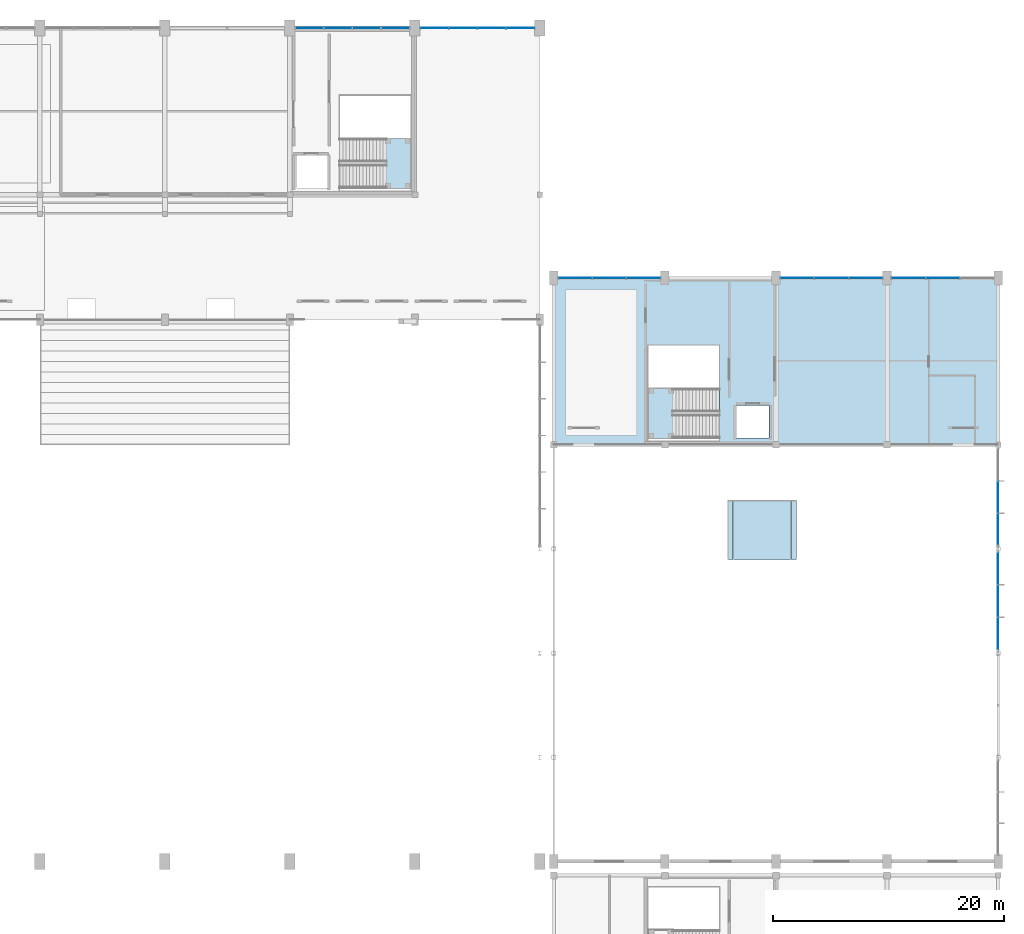
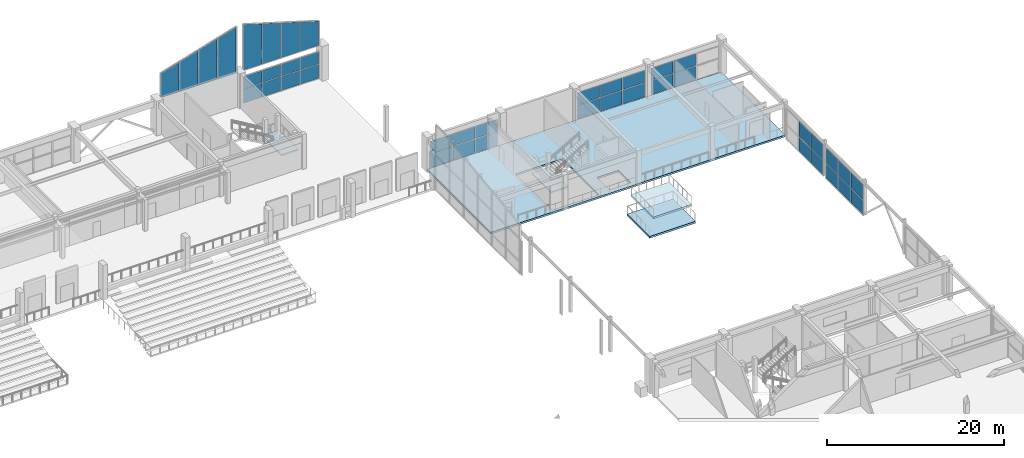
# One storey, part 46 of 74: 42 plates, 5 slabs, 10 elements without a shape of their own.
"""IFC4 building model written with IfcOpenShell, lengths in metres."""

from ifc_helpers import new_model, si_unit, direction, frame, origin, place, context, subcontext, project, spatial, polyline, outline, extrude, material, layer, layer_set, type_object, element, aggregate, save


model = new_model("IFC4")

# Units and contexts
model_context = context("Model", 3, precision=1e-05, world=origin(), true_north=direction((0.0, 1.0)))
body_context = subcontext(model_context, "Body", "Model", "MODEL_VIEW")
ifc_project = project(units=[si_unit("LENGTHUNIT", "METRE"), si_unit("AREAUNIT", "SQUARE_METRE"), si_unit("VOLUMEUNIT", "CUBIC_METRE"), si_unit("PLANEANGLEUNIT", "RADIAN"), si_unit("MASSUNIT", "GRAM", prefix="KILO")], contexts=[model_context])

# Site, building, storey
site_placement = place(None, origin())
site = spatial("IfcSite", under=ifc_project, at=site_placement, CompositionType="ELEMENT")
building_placement = place(site_placement, origin())
building = spatial("IfcBuilding", under=site, at=building_placement, Name="Suirenkawa Promenade Aquatics Centre", CompositionType="ELEMENT")
storey_placement = place(building_placement, frame((0.0, 0.0, 4.800048828125)))
storey = spatial("IfcBuildingStorey", under=building, at=storey_placement, Name="L01", CompositionType="ELEMENT", Elevation=4.800048828125)

# Curtain wall, plates
ifc_material_1 = material(Name="Anodised aluminium 6063-T6", Category="aluminium")
curtain_wall_type_1 = type_object("IfcCurtainWallType", Name="CWAT-CLERN-06", PredefinedType="NOTDEFINED", material=ifc_material_1)
curtain_wall_1_placement = place(storey_placement, origin())
curtain_wall_1 = element("IfcCurtainWall", 1, at=curtain_wall_1_placement, inside=storey, type_object=curtain_wall_type_1, Name="Curtain wall CWA-06 CW-031", PredefinedType="NOTDEFINED")
ifc_material_2 = material(Name="Ceramic-fritted low-SHGC double glazing", Category="glass")
ifc_layer_1 = layer(ifc_material_2, 0.031982421875, Name="Ceramic-fritted low-SHGC double glazing", Category="glass")
ifc_layer_set_1 = layer_set([ifc_layer_1], Name="Ceramic-fritted low-SHGC double glazing")
plate_type_1 = type_object("IfcPlateType", Name="CWP-CLER-32", PredefinedType="CURTAIN_PANEL", material=ifc_layer_set_1)
plate_1_placement = place(storey_placement, frame((133.64892578125, 122.39990234375, 4.599853515625), z_axis=(0.0, 0.0, 1.0), x_axis=(1.0, 0.0, 0.0)))
plate_1 = element("IfcPlate", 2, at=plate_1_placement, type_object=plate_type_1, Name="Top glazed panel CP-03 CWP-00653", PredefinedType="CURTAIN_PANEL", context=body_context, shape_type="SweptSolid", body=[
    extrude(outline(polyline([(0.0400390625, 0.0), (2.435546875, 0.0), (2.435546875, 4.06005859375), (0.0400390625, 3.31005859375), (0.0400390625, 0.0)])), frame((0.0, 0.01611328125, 0.0), z_axis=(0.0, -1.0, 0.0), x_axis=(1.0, 0.0, 0.0)), (0.0, 0.0, 1.0), 0.031982421875),
])
plate_2_placement = place(storey_placement, frame((136.12451171875, 122.39990234375, 4.599853515625), z_axis=(0.0, 0.0, 1.0), x_axis=(1.0, 0.0, 0.0)))
plate_2 = element("IfcPlate", 3, at=plate_2_placement, type_object=plate_type_1, Name="Top glazed panel CP-03 CWP-00654", PredefinedType="CURTAIN_PANEL", context=body_context, shape_type="SweptSolid", body=[
    extrude(outline(polyline([(0.0400390625, 0.0), (2.435546875, 0.0), (2.435546875, 4.81005859375), (0.0400390625, 4.06005859375), (0.0400390625, 0.0)])), frame((0.0, 0.01611328125, 0.0), z_axis=(0.0, -1.0, 0.0), x_axis=(1.0, 0.0, 0.0)), (0.0, 0.0, 1.0), 0.031982421875),
])
plate_3_placement = place(storey_placement, frame((138.60009765625, 122.39990234375, 4.599853515625), z_axis=(0.0, 0.0, 1.0), x_axis=(1.0, 0.0, 0.0)))
plate_3 = element("IfcPlate", 4, at=plate_3_placement, type_object=plate_type_1, Name="Top glazed panel CP-03 CWP-00655", PredefinedType="CURTAIN_PANEL", context=body_context, shape_type="SweptSolid", body=[
    extrude(outline(polyline([(0.0400390625, 0.0), (2.435546875, 0.0), (2.435546875, 5.56005859375), (0.0400390625, 4.81005859375), (0.0400390625, 0.0)])), frame((0.0, 0.01611328125, 0.0), z_axis=(0.0, -1.0, 0.0), x_axis=(1.0, 0.0, 0.0)), (0.0, 0.0, 1.0), 0.031982421875),
])
plate_4_placement = place(storey_placement, frame((141.075439453125, 122.39990234375, 4.599853515625), z_axis=(0.0, 0.0, 1.0), x_axis=(1.0, 0.0, 0.0)))
plate_4 = element("IfcPlate", 5, at=plate_4_placement, type_object=plate_type_1, Name="Top glazed panel CP-03 CWP-00656", PredefinedType="CURTAIN_PANEL", context=body_context, shape_type="SweptSolid", body=[
    extrude(outline(polyline([(0.0400390625, 0.0), (2.435546875, 0.0), (2.435546875, 6.31005859375), (0.0400390625, 5.56005859375), (0.0400390625, 0.0)])), frame((0.0, 0.01611328125, 0.0), z_axis=(0.0, -1.0, 0.0), x_axis=(1.0, 0.0, 0.0)), (0.0, 0.0, 1.0), 0.031982421875),
])
aggregate(curtain_wall_1, [plate_1, plate_2, plate_3, plate_4])

curtain_wall_2_placement = place(storey_placement, origin())
curtain_wall_2 = element("IfcCurtainWall", 6, at=curtain_wall_2_placement, inside=storey, type_object=curtain_wall_type_1, Name="Curtain wall CWA-06 CW-033", PredefinedType="NOTDEFINED")
plate_5_placement = place(storey_placement, frame((144.448974609375, 122.39990234375, 4.599853515625), z_axis=(0.0, 0.0, 1.0), x_axis=(1.0, 0.0, 0.0)))
plate_5 = element("IfcPlate", 7, at=plate_5_placement, type_object=plate_type_1, Name="Top glazed panel CP-03 CWP-00691", PredefinedType="CURTAIN_PANEL", context=body_context, shape_type="SweptSolid", body=[
    extrude(outline(polyline([(0.0400390625, 0.0), (2.435546875, 0.0), (2.435546875, 5.56005859375), (0.0400390625, 6.31005859375), (0.0400390625, 0.0)])), frame((0.0, 0.01611328125, 0.0), z_axis=(0.0, -1.0, 0.0), x_axis=(1.0, 0.0, 0.0)), (0.0, 0.0, 1.0), 0.031982421875),
])
plate_6_placement = place(storey_placement, frame((146.924560546875, 122.39990234375, 4.599853515625), z_axis=(0.0, 0.0, 1.0), x_axis=(1.0, 0.0, 0.0)))
plate_6 = element("IfcPlate", 8, at=plate_6_placement, type_object=plate_type_1, Name="Top glazed panel CP-03 CWP-00692", PredefinedType="CURTAIN_PANEL", context=body_context, shape_type="SweptSolid", body=[
    extrude(outline(polyline([(0.0400390625, 0.0), (2.435546875, 0.0), (2.435546875, 4.81005859375), (0.0400390625, 5.56005859375), (0.0400390625, 0.0)])), frame((0.0, 0.01611328125, 0.0), z_axis=(0.0, -1.0, 0.0), x_axis=(1.0, 0.0, 0.0)), (0.0, 0.0, 1.0), 0.031982421875),
])
plate_7_placement = place(storey_placement, frame((149.39990234375, 122.39990234375, 4.599853515625), z_axis=(0.0, 0.0, 1.0), x_axis=(1.0, 0.0, 0.0)))
plate_7 = element("IfcPlate", 9, at=plate_7_placement, type_object=plate_type_1, Name="Top glazed panel CP-03 CWP-00693", PredefinedType="CURTAIN_PANEL", context=body_context, shape_type="SweptSolid", body=[
    extrude(outline(polyline([(0.0400390625, 0.0), (2.435546875, 0.0), (2.435546875, 4.06005859375), (0.0400390625, 4.81005859375), (0.0400390625, 0.0)])), frame((0.0, 0.01611328125, 0.0), z_axis=(0.0, -1.0, 0.0), x_axis=(1.0, 0.0, 0.0)), (0.0, 0.0, 1.0), 0.031982421875),
])
plate_8_placement = place(storey_placement, frame((151.87548828125, 122.39990234375, 4.599853515625), z_axis=(0.0, 0.0, 1.0), x_axis=(1.0, 0.0, 0.0)))
plate_8 = element("IfcPlate", 10, at=plate_8_placement, type_object=plate_type_1, Name="Top glazed panel CP-03 CWP-00694", PredefinedType="CURTAIN_PANEL", context=body_context, shape_type="SweptSolid", body=[
    extrude(outline(polyline([(0.0400390625, 0.0), (2.435546875, 0.0), (2.435546875, 3.31005859375), (0.0400390625, 4.06005859375), (0.0400390625, 0.0)])), frame((0.0, 0.01611328125, 0.0), z_axis=(0.0, -1.0, 0.0), x_axis=(1.0, 0.0, 0.0)), (0.0, 0.0, 1.0), 0.031982421875),
])
aggregate(curtain_wall_2, [plate_5, plate_6, plate_7, plate_8])

curtain_wall_type_2 = type_object("IfcCurtainWallType", Name="CWAT-V1CONC-07", PredefinedType="NOTDEFINED", material=ifc_material_1)
curtain_wall_3_placement = place(storey_placement, origin())
curtain_wall_3 = element("IfcCurtainWall", 11, at=curtain_wall_3_placement, inside=storey, type_object=curtain_wall_type_2, Name="Curtain wall CWA-07 CW-034", PredefinedType="NOTDEFINED")
ifc_material_3 = material(Name="Low-E thermally broken double glazing", Category="glass")
ifc_layer_2 = layer(ifc_material_3, 0.028076171875, Name="Low-E thermally broken double glazing", Category="glass")
ifc_layer_set_2 = layer_set([ifc_layer_2], Name="Low-E thermally broken double glazing")
plate_type_2 = type_object("IfcPlateType", Name="CWP-LOWE-28", PredefinedType="CURTAIN_PANEL", material=ifc_layer_set_2)
plate_9_placement = place(storey_placement, frame((144.448974609375, 122.39990234375, 0.0400390625), z_axis=(0.0, 0.0, 1.0), x_axis=(1.0, 0.0, 0.0)))
plate_9 = element("IfcPlate", 12, at=plate_9_placement, type_object=plate_type_2, Name="Glazed panel CP-02 CWP-00709", PredefinedType="CURTAIN_PANEL", context=body_context, shape_type="SweptSolid", body=[
    extrude(outline(polyline([(0.0400390625, 0.0), (2.435546875, 0.0), (2.435546875, 1.919921875), (0.0400390625, 1.919921875), (0.0400390625, 0.0)])), frame((0.0, 0.01416015625, 0.0), z_axis=(0.0, -1.0, 0.0), x_axis=(1.0, 0.0, 0.0)), (0.0, 0.0, 1.0), 0.028076171875),
])
plate_10_placement = place(storey_placement, frame((144.448974609375, 122.39990234375, 2.0400390625), z_axis=(0.0, 0.0, 1.0), x_axis=(1.0, 0.0, 0.0)))
plate_10 = element("IfcPlate", 13, at=plate_10_placement, type_object=plate_type_2, Name="Top glazed panel CP-02 CWP-00710", PredefinedType="CURTAIN_PANEL", context=body_context, shape_type="SweptSolid", body=[
    extrude(outline(polyline([(0.0400390625, 0.0), (2.435546875, 0.0), (2.435546875, 1.639892578125), (0.0400390625, 1.639892578125), (0.0400390625, 0.0)])), frame((0.0, 0.01416015625, 0.0), z_axis=(0.0, -1.0, 0.0), x_axis=(1.0, 0.0, 0.0)), (0.0, 0.0, 1.0), 0.028076171875),
])
plate_11_placement = place(storey_placement, frame((146.924560546875, 122.39990234375, 0.0400390625), z_axis=(0.0, 0.0, 1.0), x_axis=(1.0, 0.0, 0.0)))
plate_11 = element("IfcPlate", 14, at=plate_11_placement, type_object=plate_type_2, Name="Glazed panel CP-02 CWP-00711", PredefinedType="CURTAIN_PANEL", context=body_context, shape_type="SweptSolid", body=[
    extrude(outline(polyline([(0.0400390625, 0.0), (2.435546875, 0.0), (2.435546875, 1.919921875), (0.0400390625, 1.919921875), (0.0400390625, 0.0)])), frame((0.0, 0.01416015625, 0.0), z_axis=(0.0, -1.0, 0.0), x_axis=(1.0, 0.0, 0.0)), (0.0, 0.0, 1.0), 0.028076171875),
])
plate_12_placement = place(storey_placement, frame((146.924560546875, 122.39990234375, 2.0400390625), z_axis=(0.0, 0.0, 1.0), x_axis=(1.0, 0.0, 0.0)))
plate_12 = element("IfcPlate", 15, at=plate_12_placement, type_object=plate_type_2, Name="Top glazed panel CP-02 CWP-00712", PredefinedType="CURTAIN_PANEL", context=body_context, shape_type="SweptSolid", body=[
    extrude(outline(polyline([(0.0400390625, 0.0), (2.435546875, 0.0), (2.435546875, 1.639892578125), (0.0400390625, 1.639892578125), (0.0400390625, 0.0)])), frame((0.0, 0.01416015625, 0.0), z_axis=(0.0, -1.0, 0.0), x_axis=(1.0, 0.0, 0.0)), (0.0, 0.0, 1.0), 0.028076171875),
])
plate_13_placement = place(storey_placement, frame((149.39990234375, 122.39990234375, 0.0400390625), z_axis=(0.0, 0.0, 1.0), x_axis=(1.0, 0.0, 0.0)))
plate_13 = element("IfcPlate", 16, at=plate_13_placement, type_object=plate_type_2, Name="Glazed panel CP-02 CWP-00713", PredefinedType="CURTAIN_PANEL", context=body_context, shape_type="SweptSolid", body=[
    extrude(outline(polyline([(0.0400390625, 0.0), (2.435546875, 0.0), (2.435546875, 1.919921875), (0.0400390625, 1.919921875), (0.0400390625, 0.0)])), frame((0.0, 0.01416015625, 0.0), z_axis=(0.0, -1.0, 0.0), x_axis=(1.0, 0.0, 0.0)), (0.0, 0.0, 1.0), 0.028076171875),
])
plate_14_placement = place(storey_placement, frame((149.39990234375, 122.39990234375, 2.0400390625), z_axis=(0.0, 0.0, 1.0), x_axis=(1.0, 0.0, 0.0)))
plate_14 = element("IfcPlate", 17, at=plate_14_placement, type_object=plate_type_2, Name="Top glazed panel CP-02 CWP-00714", PredefinedType="CURTAIN_PANEL", context=body_context, shape_type="SweptSolid", body=[
    extrude(outline(polyline([(0.0400390625, 0.0), (2.435546875, 0.0), (2.435546875, 1.639892578125), (0.0400390625, 1.639892578125), (0.0400390625, 0.0)])), frame((0.0, 0.01416015625, 0.0), z_axis=(0.0, -1.0, 0.0), x_axis=(1.0, 0.0, 0.0)), (0.0, 0.0, 1.0), 0.028076171875),
])
plate_15_placement = place(storey_placement, frame((151.87548828125, 122.39990234375, 0.0400390625), z_axis=(0.0, 0.0, 1.0), x_axis=(1.0, 0.0, 0.0)))
plate_15 = element("IfcPlate", 18, at=plate_15_placement, type_object=plate_type_2, Name="Glazed panel CP-02 CWP-00715", PredefinedType="CURTAIN_PANEL", context=body_context, shape_type="SweptSolid", body=[
    extrude(outline(polyline([(0.0400390625, 0.0), (2.435546875, 0.0), (2.435546875, 1.919921875), (0.0400390625, 1.919921875), (0.0400390625, 0.0)])), frame((0.0, 0.01416015625, 0.0), z_axis=(0.0, -1.0, 0.0), x_axis=(1.0, 0.0, 0.0)), (0.0, 0.0, 1.0), 0.028076171875),
])
plate_16_placement = place(storey_placement, frame((151.87548828125, 122.39990234375, 2.0400390625), z_axis=(0.0, 0.0, 1.0), x_axis=(1.0, 0.0, 0.0)))
plate_16 = element("IfcPlate", 19, at=plate_16_placement, type_object=plate_type_2, Name="Top glazed panel CP-02 CWP-00716", PredefinedType="CURTAIN_PANEL", context=body_context, shape_type="SweptSolid", body=[
    extrude(outline(polyline([(0.0400390625, 0.0), (2.435546875, 0.0), (2.435546875, 1.639892578125), (0.0400390625, 1.639892578125), (0.0400390625, 0.0)])), frame((0.0, 0.01416015625, 0.0), z_axis=(0.0, -1.0, 0.0), x_axis=(1.0, 0.0, 0.0)), (0.0, 0.0, 1.0), 0.028076171875),
])
aggregate(curtain_wall_3, [plate_9, plate_10, plate_11, plate_12, plate_13, plate_14, plate_15, plate_16])

curtain_wall_type_3 = type_object("IfcCurtainWallType", Name="CWAT-V2GL01-18", PredefinedType="NOTDEFINED", material=ifc_material_1)
curtain_wall_4_placement = place(storey_placement, origin())
curtain_wall_4 = element("IfcCurtainWall", 20, at=curtain_wall_4_placement, inside=storey, type_object=curtain_wall_type_3, Name="Curtain wall CWA-18 CW-037", PredefinedType="NOTDEFINED")
plate_17_placement = place(storey_placement, frame((156.3740234375, 100.800048828125, 0.0400390625), z_axis=(0.0, 0.0, 1.0), x_axis=(1.0, 0.0, 0.0)))
plate_17 = element("IfcPlate", 21, at=plate_17_placement, type_object=plate_type_2, Name="Glazed panel CP-02 CWP-00772", PredefinedType="CURTAIN_PANEL", context=body_context, shape_type="SweptSolid", body=[
    extrude(outline(polyline([(0.0400390625, 0.0), (2.91064453125, 0.0), (2.91064453125, 1.919921875), (0.0400390625, 1.919921875), (0.0400390625, 0.0)])), frame((0.0, 0.01416015625, 0.0), z_axis=(0.0, -1.0, 0.0), x_axis=(1.0, 0.0, 0.0)), (0.0, 0.0, 1.0), 0.028076171875),
])
plate_18_placement = place(storey_placement, frame((156.3740234375, 100.800048828125, 2.0400390625), z_axis=(0.0, 0.0, 1.0), x_axis=(1.0, 0.0, 0.0)))
plate_18 = element("IfcPlate", 22, at=plate_18_placement, type_object=plate_type_2, Name="Top glazed panel CP-02 CWP-00773", PredefinedType="CURTAIN_PANEL", context=body_context, shape_type="SweptSolid", body=[
    extrude(outline(polyline([(0.0400390625, 0.0), (2.91064453125, 0.0), (2.91064453125, 1.639892578125), (0.0400390625, 1.639892578125), (0.0400390625, 0.0)])), frame((0.0, 0.01416015625, 0.0), z_axis=(0.0, -1.0, 0.0), x_axis=(1.0, 0.0, 0.0)), (0.0, 0.0, 1.0), 0.028076171875),
])
plate_19_placement = place(storey_placement, frame((159.32470703125, 100.800048828125, 0.0400390625), z_axis=(0.0, 0.0, 1.0), x_axis=(1.0, 0.0, 0.0)))
plate_19 = element("IfcPlate", 23, at=plate_19_placement, type_object=plate_type_2, Name="Glazed panel CP-02 CWP-00774", PredefinedType="CURTAIN_PANEL", context=body_context, shape_type="SweptSolid", body=[
    extrude(outline(polyline([(0.0400390625, 0.0), (2.91064453125, 0.0), (2.91064453125, 1.919921875), (0.0400390625, 1.919921875), (0.0400390625, 0.0)])), frame((0.0, 0.01416015625, 0.0), z_axis=(0.0, -1.0, 0.0), x_axis=(1.0, 0.0, 0.0)), (0.0, 0.0, 1.0), 0.028076171875),
])
plate_20_placement = place(storey_placement, frame((159.32470703125, 100.800048828125, 2.0400390625), z_axis=(0.0, 0.0, 1.0), x_axis=(1.0, 0.0, 0.0)))
plate_20 = element("IfcPlate", 24, at=plate_20_placement, type_object=plate_type_2, Name="Top glazed panel CP-02 CWP-00775", PredefinedType="CURTAIN_PANEL", context=body_context, shape_type="SweptSolid", body=[
    extrude(outline(polyline([(0.0400390625, 0.0), (2.91064453125, 0.0), (2.91064453125, 1.639892578125), (0.0400390625, 1.639892578125), (0.0400390625, 0.0)])), frame((0.0, 0.01416015625, 0.0), z_axis=(0.0, -1.0, 0.0), x_axis=(1.0, 0.0, 0.0)), (0.0, 0.0, 1.0), 0.028076171875),
])
plate_21_placement = place(storey_placement, frame((162.275390625, 100.800048828125, 0.0400390625), z_axis=(0.0, 0.0, 1.0), x_axis=(1.0, 0.0, 0.0)))
plate_21 = element("IfcPlate", 25, at=plate_21_placement, type_object=plate_type_2, Name="Glazed panel CP-02 CWP-00776", PredefinedType="CURTAIN_PANEL", context=body_context, shape_type="SweptSolid", body=[
    extrude(outline(polyline([(0.0400390625, 0.0), (2.91064453125, 0.0), (2.91064453125, 1.919921875), (0.0400390625, 1.919921875), (0.0400390625, 0.0)])), frame((0.0, 0.01416015625, 0.0), z_axis=(0.0, -1.0, 0.0), x_axis=(1.0, 0.0, 0.0)), (0.0, 0.0, 1.0), 0.028076171875),
])
plate_22_placement = place(storey_placement, frame((162.275390625, 100.800048828125, 2.0400390625), z_axis=(0.0, 0.0, 1.0), x_axis=(1.0, 0.0, 0.0)))
plate_22 = element("IfcPlate", 26, at=plate_22_placement, type_object=plate_type_2, Name="Top glazed panel CP-02 CWP-00777", PredefinedType="CURTAIN_PANEL", context=body_context, shape_type="SweptSolid", body=[
    extrude(outline(polyline([(0.0400390625, 0.0), (2.91064453125, 0.0), (2.91064453125, 1.639892578125), (0.0400390625, 1.639892578125), (0.0400390625, 0.0)])), frame((0.0, 0.01416015625, 0.0), z_axis=(0.0, -1.0, 0.0), x_axis=(1.0, 0.0, 0.0)), (0.0, 0.0, 1.0), 0.028076171875),
])
aggregate(curtain_wall_4, [plate_17, plate_18, plate_19, plate_20, plate_21, plate_22])

curtain_wall_5_placement = place(storey_placement, origin())
curtain_wall_5 = element("IfcCurtainWall", 27, at=curtain_wall_5_placement, inside=storey, type_object=curtain_wall_type_3, Name="Curtain wall CWA-18 CW-043", PredefinedType="NOTDEFINED")
plate_23_placement = place(storey_placement, frame((175.573974609375, 100.800048828125, 0.0400390625), z_axis=(0.0, 0.0, 1.0), x_axis=(1.0, 0.0, 0.0)))
plate_23 = element("IfcPlate", 28, at=plate_23_placement, type_object=plate_type_2, Name="Glazed panel CP-02 CWP-00894", PredefinedType="CURTAIN_PANEL", context=body_context, shape_type="SweptSolid", body=[
    extrude(outline(polyline([(0.0400390625, 0.0), (2.91064453125, 0.0), (2.91064453125, 1.919921875), (0.0400390625, 1.919921875), (0.0400390625, 0.0)])), frame((0.0, 0.01416015625, 0.0), z_axis=(0.0, -1.0, 0.0), x_axis=(1.0, 0.0, 0.0)), (0.0, 0.0, 1.0), 0.028076171875),
])
plate_24_placement = place(storey_placement, frame((175.573974609375, 100.800048828125, 2.0400390625), z_axis=(0.0, 0.0, 1.0), x_axis=(1.0, 0.0, 0.0)))
plate_24 = element("IfcPlate", 29, at=plate_24_placement, type_object=plate_type_2, Name="Top glazed panel CP-02 CWP-00895", PredefinedType="CURTAIN_PANEL", context=body_context, shape_type="SweptSolid", body=[
    extrude(outline(polyline([(0.0400390625, 0.0), (2.91064453125, 0.0), (2.91064453125, 1.639892578125), (0.0400390625, 1.639892578125), (0.0400390625, 0.0)])), frame((0.0, 0.01416015625, 0.0), z_axis=(0.0, -1.0, 0.0), x_axis=(1.0, 0.0, 0.0)), (0.0, 0.0, 1.0), 0.028076171875),
])
plate_25_placement = place(storey_placement, frame((178.524658203125, 100.800048828125, 0.0400390625), z_axis=(0.0, 0.0, 1.0), x_axis=(1.0, 0.0, 0.0)))
plate_25 = element("IfcPlate", 30, at=plate_25_placement, type_object=plate_type_2, Name="Glazed panel CP-02 CWP-00896", PredefinedType="CURTAIN_PANEL", context=body_context, shape_type="SweptSolid", body=[
    extrude(outline(polyline([(0.0400390625, 0.0), (2.91064453125, 0.0), (2.91064453125, 1.919921875), (0.0400390625, 1.919921875), (0.0400390625, 0.0)])), frame((0.0, 0.01416015625, 0.0), z_axis=(0.0, -1.0, 0.0), x_axis=(1.0, 0.0, 0.0)), (0.0, 0.0, 1.0), 0.028076171875),
])
plate_26_placement = place(storey_placement, frame((178.524658203125, 100.800048828125, 2.0400390625), z_axis=(0.0, 0.0, 1.0), x_axis=(1.0, 0.0, 0.0)))
plate_26 = element("IfcPlate", 31, at=plate_26_placement, type_object=plate_type_2, Name="Top glazed panel CP-02 CWP-00897", PredefinedType="CURTAIN_PANEL", context=body_context, shape_type="SweptSolid", body=[
    extrude(outline(polyline([(0.0400390625, 0.0), (2.91064453125, 0.0), (2.91064453125, 1.639892578125), (0.0400390625, 1.639892578125), (0.0400390625, 0.0)])), frame((0.0, 0.01416015625, 0.0), z_axis=(0.0, -1.0, 0.0), x_axis=(1.0, 0.0, 0.0)), (0.0, 0.0, 1.0), 0.028076171875),
])
plate_27_placement = place(storey_placement, frame((181.475341796875, 100.800048828125, 0.0400390625), z_axis=(0.0, 0.0, 1.0), x_axis=(1.0, 0.0, 0.0)))
plate_27 = element("IfcPlate", 32, at=plate_27_placement, type_object=plate_type_2, Name="Glazed panel CP-02 CWP-00898", PredefinedType="CURTAIN_PANEL", context=body_context, shape_type="SweptSolid", body=[
    extrude(outline(polyline([(0.0400390625, 0.0), (2.91064453125, 0.0), (2.91064453125, 1.919921875), (0.0400390625, 1.919921875), (0.0400390625, 0.0)])), frame((0.0, 0.01416015625, 0.0), z_axis=(0.0, -1.0, 0.0), x_axis=(1.0, 0.0, 0.0)), (0.0, 0.0, 1.0), 0.028076171875),
])
plate_28_placement = place(storey_placement, frame((181.475341796875, 100.800048828125, 2.0400390625), z_axis=(0.0, 0.0, 1.0), x_axis=(1.0, 0.0, 0.0)))
plate_28 = element("IfcPlate", 33, at=plate_28_placement, type_object=plate_type_2, Name="Top glazed panel CP-02 CWP-00899", PredefinedType="CURTAIN_PANEL", context=body_context, shape_type="SweptSolid", body=[
    extrude(outline(polyline([(0.0400390625, 0.0), (2.91064453125, 0.0), (2.91064453125, 1.639892578125), (0.0400390625, 1.639892578125), (0.0400390625, 0.0)])), frame((0.0, 0.01416015625, 0.0), z_axis=(0.0, -1.0, 0.0), x_axis=(1.0, 0.0, 0.0)), (0.0, 0.0, 1.0), 0.028076171875),
])
aggregate(curtain_wall_5, [plate_23, plate_24, plate_25, plate_26, plate_27, plate_28])

curtain_wall_6_placement = place(storey_placement, origin())
curtain_wall_6 = element("IfcCurtainWall", 34, at=curtain_wall_6_placement, inside=storey, type_object=curtain_wall_type_3, Name="Curtain wall CWA-18 CW-046", PredefinedType="NOTDEFINED")
plate_29_placement = place(storey_placement, frame((185.174072265625, 100.800048828125, 0.0400390625), z_axis=(0.0, 0.0, 1.0), x_axis=(1.0, 0.0, 0.0)))
plate_29 = element("IfcPlate", 35, at=plate_29_placement, type_object=plate_type_2, Name="Glazed panel CP-02 CWP-00950", PredefinedType="CURTAIN_PANEL", context=body_context, shape_type="SweptSolid", body=[
    extrude(outline(polyline([(0.0400390625, 0.0), (2.91064453125, 0.0), (2.91064453125, 1.919921875), (0.0400390625, 1.919921875), (0.0400390625, 0.0)])), frame((0.0, 0.01416015625, 0.0), z_axis=(0.0, -1.0, 0.0), x_axis=(1.0, 0.0, 0.0)), (0.0, 0.0, 1.0), 0.028076171875),
])
plate_30_placement = place(storey_placement, frame((185.174072265625, 100.800048828125, 2.0400390625), z_axis=(0.0, 0.0, 1.0), x_axis=(1.0, 0.0, 0.0)))
plate_30 = element("IfcPlate", 36, at=plate_30_placement, type_object=plate_type_2, Name="Top glazed panel CP-02 CWP-00951", PredefinedType="CURTAIN_PANEL", context=body_context, shape_type="SweptSolid", body=[
    extrude(outline(polyline([(0.0400390625, 0.0), (2.91064453125, 0.0), (2.91064453125, 1.639892578125), (0.0400390625, 1.639892578125), (0.0400390625, 0.0)])), frame((0.0, 0.01416015625, 0.0), z_axis=(0.0, -1.0, 0.0), x_axis=(1.0, 0.0, 0.0)), (0.0, 0.0, 1.0), 0.028076171875),
])
plate_31_placement = place(storey_placement, frame((188.124755859375, 100.800048828125, 0.0400390625), z_axis=(0.0, 0.0, 1.0), x_axis=(1.0, 0.0, 0.0)))
plate_31 = element("IfcPlate", 37, at=plate_31_placement, type_object=plate_type_2, Name="Glazed panel CP-02 CWP-00952", PredefinedType="CURTAIN_PANEL", context=body_context, shape_type="SweptSolid", body=[
    extrude(outline(polyline([(0.0400390625, 0.0), (2.91064453125, 0.0), (2.91064453125, 1.919921875), (0.0400390625, 1.919921875), (0.0400390625, 0.0)])), frame((0.0, 0.01416015625, 0.0), z_axis=(0.0, -1.0, 0.0), x_axis=(1.0, 0.0, 0.0)), (0.0, 0.0, 1.0), 0.028076171875),
])
plate_32_placement = place(storey_placement, frame((188.124755859375, 100.800048828125, 2.0400390625), z_axis=(0.0, 0.0, 1.0), x_axis=(1.0, 0.0, 0.0)))
plate_32 = element("IfcPlate", 38, at=plate_32_placement, type_object=plate_type_2, Name="Top glazed panel CP-02 CWP-00953", PredefinedType="CURTAIN_PANEL", context=body_context, shape_type="SweptSolid", body=[
    extrude(outline(polyline([(0.0400390625, 0.0), (2.91064453125, 0.0), (2.91064453125, 1.639892578125), (0.0400390625, 1.639892578125), (0.0400390625, 0.0)])), frame((0.0, 0.01416015625, 0.0), z_axis=(0.0, -1.0, 0.0), x_axis=(1.0, 0.0, 0.0)), (0.0, 0.0, 1.0), 0.028076171875),
])
aggregate(curtain_wall_6, [plate_29, plate_30, plate_31, plate_32])

curtain_wall_type_4 = type_object("IfcCurtainWallType", Name="CWAT-V2E-22", PredefinedType="NOTDEFINED", material=ifc_material_1)
curtain_wall_7_placement = place(storey_placement, origin())
curtain_wall_7 = element("IfcCurtainWall", 39, at=curtain_wall_7_placement, inside=storey, type_object=curtain_wall_type_4, Name="Curtain wall CWA-22 CW-050", PredefinedType="NOTDEFINED")
ifc_layer_3 = layer(ifc_material_2, 0.035888671875, Name="Ceramic-fritted low-SHGC double glazing", Category="glass")
ifc_layer_set_3 = layer_set([ifc_layer_3], Name="Ceramic-fritted low-SHGC double glazing")
plate_type_3 = type_object("IfcPlateType", Name="CWP-SHOJI-36", PredefinedType="CURTAIN_PANEL", material=ifc_layer_set_3)
plate_33_placement = place(storey_placement, frame((194.39990234375, 77.10107421875, -0.31005859375), z_axis=(0.0, 0.0, 1.0), x_axis=(0.0, -1.0, 0.0)))
plate_33 = element("IfcPlate", 40, at=plate_33_placement, type_object=plate_type_3, Name="Glazed panel CP-01 CWP-01012", PredefinedType="CURTAIN_PANEL", context=body_context, shape_type="SweptSolid", body=[
    extrude(outline(polyline([(0.0400390625, 0.0), (2.7607421875, 0.0), (2.7607421875, 1.969970703125), (0.0400390625, 1.969970703125), (0.0400390625, 0.0)])), frame((0.0, 0.01806640625, 0.0), z_axis=(0.0, -1.0, 0.0), x_axis=(1.0, 0.0, 0.0)), (0.0, 0.0, 1.0), 0.035888671875),
])
plate_34_placement = place(storey_placement, frame((194.39990234375, 77.10107421875, 1.739990234375), z_axis=(0.0, 0.0, 1.0), x_axis=(0.0, -1.0, 0.0)))
plate_34 = element("IfcPlate", 41, at=plate_34_placement, type_object=plate_type_3, Name="Top glazed panel CP-01 CWP-01013", PredefinedType="CURTAIN_PANEL", context=body_context, shape_type="SweptSolid", body=[
    extrude(outline(polyline([(0.0400390625, 0.0), (2.7607421875, 0.0), (2.7607421875, 2.125), (0.0400390625, 2.125), (0.0400390625, 0.0)])), frame((0.0, 0.01806640625, 0.0), z_axis=(0.0, -1.0, 0.0), x_axis=(1.0, 0.0, 0.0)), (0.0, 0.0, 1.0), 0.035888671875),
])
plate_35_placement = place(storey_placement, frame((194.39990234375, 74.30029296875, -0.31005859375), z_axis=(0.0, 0.0, 1.0), x_axis=(0.0, -1.0, 0.0)))
plate_35 = element("IfcPlate", 42, at=plate_35_placement, type_object=plate_type_3, Name="Glazed panel CP-01 CWP-01014", PredefinedType="CURTAIN_PANEL", context=body_context, shape_type="SweptSolid", body=[
    extrude(outline(polyline([(0.0400390625, 0.0), (2.7607421875, 0.0), (2.7607421875, 1.969970703125), (0.0400390625, 1.969970703125), (0.0400390625, 0.0)])), frame((0.0, 0.01806640625, 0.0), z_axis=(0.0, -1.0, 0.0), x_axis=(1.0, 0.0, 0.0)), (0.0, 0.0, 1.0), 0.035888671875),
])
plate_36_placement = place(storey_placement, frame((194.39990234375, 74.30029296875, 1.739990234375), z_axis=(0.0, 0.0, 1.0), x_axis=(0.0, -1.0, 0.0)))
plate_36 = element("IfcPlate", 43, at=plate_36_placement, type_object=plate_type_3, Name="Top glazed panel CP-01 CWP-01015", PredefinedType="CURTAIN_PANEL", context=body_context, shape_type="SweptSolid", body=[
    extrude(outline(polyline([(0.0400390625, 0.0), (2.7607421875, 0.0), (2.7607421875, 2.125), (0.0400390625, 2.125), (0.0400390625, 0.0)])), frame((0.0, 0.01806640625, 0.0), z_axis=(0.0, -1.0, 0.0), x_axis=(1.0, 0.0, 0.0)), (0.0, 0.0, 1.0), 0.035888671875),
])
plate_37_placement = place(storey_placement, frame((194.39990234375, 71.499755859375, -0.31005859375), z_axis=(0.0, 0.0, 1.0), x_axis=(0.0, -1.0, 0.0)))
plate_37 = element("IfcPlate", 44, at=plate_37_placement, type_object=plate_type_3, Name="Glazed panel CP-01 CWP-01016", PredefinedType="CURTAIN_PANEL", context=body_context, shape_type="SweptSolid", body=[
    extrude(outline(polyline([(0.0400390625, 0.0), (2.7607421875, 0.0), (2.7607421875, 1.969970703125), (0.0400390625, 1.969970703125), (0.0400390625, 0.0)])), frame((0.0, 0.01806640625, 0.0), z_axis=(0.0, -1.0, 0.0), x_axis=(1.0, 0.0, 0.0)), (0.0, 0.0, 1.0), 0.035888671875),
])
plate_38_placement = place(storey_placement, frame((194.39990234375, 71.499755859375, 1.739990234375), z_axis=(0.0, 0.0, 1.0), x_axis=(0.0, -1.0, 0.0)))
plate_38 = element("IfcPlate", 45, at=plate_38_placement, type_object=plate_type_3, Name="Top glazed panel CP-01 CWP-01017", PredefinedType="CURTAIN_PANEL", context=body_context, shape_type="SweptSolid", body=[
    extrude(outline(polyline([(0.0400390625, 0.0), (2.7607421875, 0.0), (2.7607421875, 2.125), (0.0400390625, 2.125), (0.0400390625, 0.0)])), frame((0.0, 0.01806640625, 0.0), z_axis=(0.0, -1.0, 0.0), x_axis=(1.0, 0.0, 0.0)), (0.0, 0.0, 1.0), 0.035888671875),
])
aggregate(curtain_wall_7, [plate_33, plate_34, plate_35, plate_36, plate_37, plate_38])

curtain_wall_8_placement = place(storey_placement, origin())
curtain_wall_8 = element("IfcCurtainWall", 46, at=curtain_wall_8_placement, inside=storey, type_object=curtain_wall_type_4, Name="Curtain wall CWA-22 CW-052", PredefinedType="NOTDEFINED")
plate_39_placement = place(storey_placement, frame((194.39990234375, 83.26708984375, -0.31005859375), z_axis=(0.0, 0.0, 1.0), x_axis=(0.0, -1.0, 0.0)))
plate_39 = element("IfcPlate", 47, at=plate_39_placement, type_object=plate_type_3, Name="Glazed panel CP-01 CWP-01042", PredefinedType="CURTAIN_PANEL", context=body_context, shape_type="SweptSolid", body=[
    extrude(outline(polyline([(0.0400390625, 0.0), (2.743896484375, 0.0), (2.743896484375, 1.969970703125), (0.0400390625, 1.969970703125), (0.0400390625, 0.0)])), frame((0.0, 0.01806640625, 0.0), z_axis=(0.0, -1.0, 0.0), x_axis=(1.0, 0.0, 0.0)), (0.0, 0.0, 1.0), 0.035888671875),
])
plate_40_placement = place(storey_placement, frame((194.39990234375, 83.26708984375, 1.739990234375), z_axis=(0.0, 0.0, 1.0), x_axis=(0.0, -1.0, 0.0)))
plate_40 = element("IfcPlate", 48, at=plate_40_placement, type_object=plate_type_3, Name="Top glazed panel CP-01 CWP-01043", PredefinedType="CURTAIN_PANEL", context=body_context, shape_type="SweptSolid", body=[
    extrude(outline(polyline([(0.0400390625, 0.0), (2.743896484375, 0.0), (2.743896484375, 2.125), (0.0400390625, 2.125), (0.0400390625, 0.0)])), frame((0.0, 0.01806640625, 0.0), z_axis=(0.0, -1.0, 0.0), x_axis=(1.0, 0.0, 0.0)), (0.0, 0.0, 1.0), 0.035888671875),
])
plate_41_placement = place(storey_placement, frame((194.39990234375, 80.48291015625, -0.31005859375), z_axis=(0.0, 0.0, 1.0), x_axis=(0.0, -1.0, 0.0)))
plate_41 = element("IfcPlate", 49, at=plate_41_placement, type_object=plate_type_3, Name="Glazed panel CP-01 CWP-01044", PredefinedType="CURTAIN_PANEL", context=body_context, shape_type="SweptSolid", body=[
    extrude(outline(polyline([(0.0400390625, 0.0), (2.743896484375, 0.0), (2.743896484375, 1.969970703125), (0.0400390625, 1.969970703125), (0.0400390625, 0.0)])), frame((0.0, 0.01806640625, 0.0), z_axis=(0.0, -1.0, 0.0), x_axis=(1.0, 0.0, 0.0)), (0.0, 0.0, 1.0), 0.035888671875),
])
plate_42_placement = place(storey_placement, frame((194.39990234375, 80.48291015625, 1.739990234375), z_axis=(0.0, 0.0, 1.0), x_axis=(0.0, -1.0, 0.0)))
plate_42 = element("IfcPlate", 50, at=plate_42_placement, type_object=plate_type_3, Name="Top glazed panel CP-01 CWP-01045", PredefinedType="CURTAIN_PANEL", context=body_context, shape_type="SweptSolid", body=[
    extrude(outline(polyline([(0.0400390625, 0.0), (2.743896484375, 0.0), (2.743896484375, 2.125), (0.0400390625, 2.125), (0.0400390625, 0.0)])), frame((0.0, 0.01806640625, 0.0), z_axis=(0.0, -1.0, 0.0), x_axis=(1.0, 0.0, 0.0)), (0.0, 0.0, 1.0), 0.035888671875),
])
aggregate(curtain_wall_8, [plate_39, plate_40, plate_41, plate_42])

# Slabs
ifc_material_4 = material(Name="Concrete M40", Category="concrete")
ifc_layer_4 = layer(ifc_material_4, 0.27001953125, Name="Concrete M40", Category="concrete")
ifc_layer_set_4 = layer_set([ifc_layer_4], Name="Concrete M40")
slab_type_1 = type_object("IfcSlabType", Name="SLT-DIVE-PLAT-270", PredefinedType="FLOOR", material=ifc_layer_set_4)
slab_1_placement = place(storey_placement, frame((0.0, 0.0, -0.070068359375)))
element("IfcSlab", 51, at=slab_1_placement, inside=storey, type_object=slab_type_1, Name="Diving platform 5m SL-FLR-06 SL-0047", PredefinedType="FLOOR", context=body_context, shape_type="SweptSolid", body=[
    extrude(outline(polyline([(171.0, 76.5), (177.0, 76.5), (177.0, 81.60009765625), (171.0, 81.60009765625), (171.0, 76.5)])), origin(), (0.0, 0.0, 1.0), 0.27001953125),
])
slab_2_placement = place(storey_placement, frame((0.0, 0.0, 2.429931640625)))
element("IfcSlab", 52, at=slab_2_placement, inside=storey, type_object=slab_type_1, Name="Diving platform 7.5m SL-FLR-06 SL-0048", PredefinedType="FLOOR", context=body_context, shape_type="SweptSolid", body=[
    extrude(outline(polyline([(171.5, 76.5), (176.5, 76.5), (176.5, 81.60009765625), (171.5, 81.60009765625), (171.5, 76.5)])), origin(), (0.0, 0.0, 1.0), 0.27001953125),
])

# Stair, slab
stair_type = type_object("IfcStairType", Name="STT-CORE-2100-480", PredefinedType="TWO_STRAIGHT_RUN_STAIR", material=ifc_material_4)
stair_1_placement = place(storey_placement, origin())
stair_1 = element("IfcStair", 53, at=stair_1_placement, inside=storey, type_object=stair_type, Name="Protected exit stair STR-01 ST-15", PredefinedType="TWO_STRAIGHT_RUN_STAIR")
ifc_layer_5 = layer(ifc_material_4, 0.169921875, Name="Concrete M40", Category="concrete")
ifc_layer_set_5 = layer_set([ifc_layer_5], Name="Concrete M40")
slab_type_2 = type_object("IfcSlabType", Name="SLT-LANDING-170", PredefinedType="LANDING", material=ifc_layer_set_5)
slab_3_placement = place(storey_placement, frame((0.0, 0.0, 2.219970703125)))
slab_3 = element("IfcSlab", 54, at=slab_3_placement, type_object=slab_type_2, Name="Stair landing SL-LND-01 SL-8015", PredefinedType="LANDING", context=body_context, shape_type="SweptSolid", body=[
    extrude(outline(polyline([(141.449951171875, 108.52001953125), (143.639892578125, 108.52001953125), (143.639892578125, 112.909912109375), (141.449951171875, 112.909912109375), (141.449951171875, 108.52001953125)])), origin(), (0.0, 0.0, 1.0), 0.179931640625),
])
aggregate(stair_1, [slab_3])

stair_2_placement = place(storey_placement, origin())
stair_2 = element("IfcStair", 55, at=stair_2_placement, inside=storey, type_object=stair_type, Name="Protected exit stair STR-01 ST-17", PredefinedType="TWO_STRAIGHT_RUN_STAIR")
slab_4_placement = place(storey_placement, frame((0.0, 0.0, 2.219970703125)))
slab_4 = element("IfcSlab", 56, at=slab_4_placement, type_object=slab_type_2, Name="Stair landing SL-LND-01 SL-8017", PredefinedType="LANDING", context=body_context, shape_type="SweptSolid", body=[
    extrude(outline(polyline([(164.159912109375, 86.919921875), (166.35009765625, 86.919921875), (166.35009765625, 91.31005859375), (164.159912109375, 91.31005859375), (164.159912109375, 86.919921875)])), origin(), (0.0, 0.0, 1.0), 0.179931640625),
])
aggregate(stair_2, [slab_4])

# Slab
ifc_material_5 = material(Name="Concrete M35", Category="concrete")
ifc_layer_6 = layer(ifc_material_5, 0.25, Name="Concrete M35", Category="concrete")
ifc_layer_set_6 = layer_set([ifc_layer_6], Name="Concrete M35")
slab_type_3 = type_object("IfcSlabType", Name="SLT-UPPER-250", PredefinedType="FLOOR", material=ifc_layer_set_6)
slab_5_placement = place(storey_placement, frame((0.0, 0.0, -0.25)))
element("IfcSlab", 57, at=slab_5_placement, inside=storey, type_object=slab_type_3, Name="V2 diving gallery L01 SL-FLR-05 SL-0042", PredefinedType="FLOOR", context=body_context, shape_type="SweptSolid", body=[
    extrude(outline(polyline([(156.0, 86.39990234375), (194.39990234375, 86.39990234375), (194.39990234375, 100.800048828125), (156.0, 100.800048828125), (156.0, 86.39990234375)]), holes=[polyline([(164.159912109375, 86.760009765625), (170.300048828125, 86.760009765625), (170.300048828125, 94.9599609375), (164.159912109375, 94.9599609375), (164.159912109375, 86.760009765625)]), polyline([(171.800048828125, 87.0), (174.60009765625, 87.0), (174.60009765625, 89.800048828125), (171.800048828125, 89.800048828125), (171.800048828125, 87.0)])]), origin(), (0.0, 0.0, 1.0), 0.25),
])

save(model, "model.ifc")
